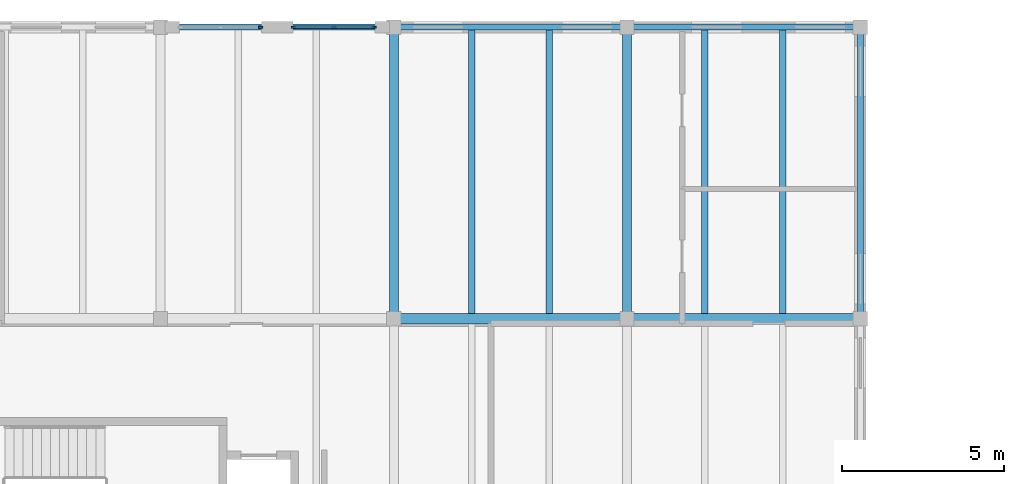
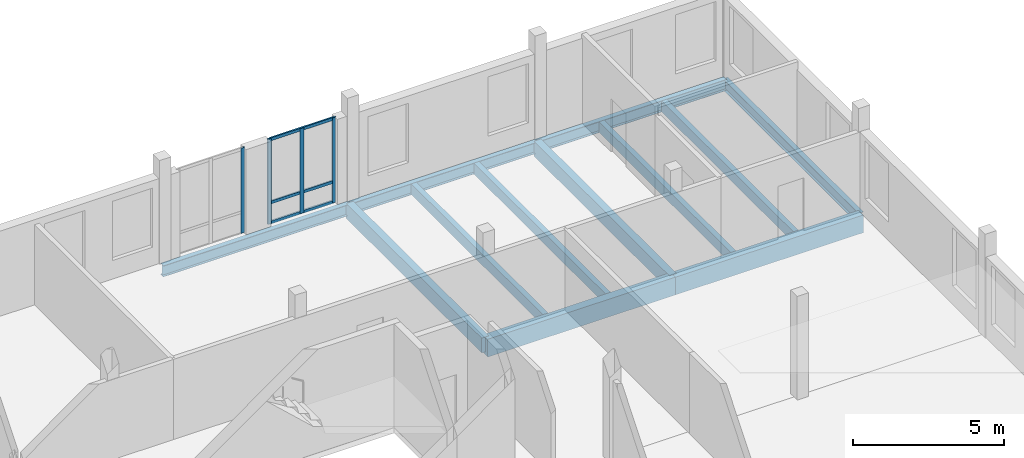
# One storey, part 28 of 81: 12 beams, 7 members, 2 elements without a shape of their own.
"""IFC4 building model written with IfcOpenShell, lengths in metres."""

from ifc_helpers import new_model, si_unit, direction, frame, origin, origin_2d, place, context, subcontext, project, spatial, rectangle, i_section, extrude, material, material_profile, profile_set, type_object, element, aggregate, save


model = new_model("IFC4")

# Units and contexts
model_context = context("Model", 3, precision=1e-05, world=origin(), true_north=direction((0.0, 1.0)))
body_context = subcontext(model_context, "Body", "Model", "MODEL_VIEW")
ifc_project = project(units=[si_unit("LENGTHUNIT", "METRE"), si_unit("AREAUNIT", "SQUARE_METRE"), si_unit("VOLUMEUNIT", "CUBIC_METRE"), si_unit("PLANEANGLEUNIT", "RADIAN"), si_unit("MASSUNIT", "GRAM", prefix="KILO")], contexts=[model_context])

# Site, building, storey
site_placement = place(None, origin())
site = spatial("IfcSite", under=ifc_project, at=site_placement, CompositionType="ELEMENT")
building_placement = place(site_placement, origin())
building = spatial("IfcBuilding", under=site, at=building_placement, Name="Kahlenmark Community Centre", CompositionType="ELEMENT")
storey_placement = place(building_placement, frame((0.0, 0.0, 9.60009765625)))
storey = spatial("IfcBuildingStorey", under=building, at=storey_placement, Name="L02", CompositionType="ELEMENT", Elevation=9.60009765625)

# Beams
ifc_material_1 = material(Name="Glulam GL32h", Category="wood")
ifc_material_profile_1 = material_profile(ifc_material_1, rectangle(XDim=0.280029296875, YDim=0.60009765625, at=origin_2d()), Name="GL32h 280x600")
ifc_profile_set_1 = profile_set([ifc_material_profile_1], Name="Glulam GL32h")
beam_type_1 = type_object("IfcBeamType", Name="BT-BEAM-GL32h280x600", PredefinedType="BEAM", material=ifc_profile_set_1)
for number, where, z_axis, x_axis, name in (
    (1, (72.39990234375, 106.0, -0.52001953125), (0.0, 1.0, 0.0), (-1.0, 0.0, 0.0), "L02 beam BG-GL32h280x600"),
    (2, (79.60009765625, 106.0, -0.52001953125), (0.0, 1.0, 0.0), (-1.0, 0.0, 0.0), "L02 beam BG-GL32h280x600"),
):
    element("IfcBeam", number, at=place(storey_placement, frame(where, z_axis=z_axis, x_axis=x_axis)), inside=storey, type_object=beam_type_1, Name=name, PredefinedType="BEAM", context=body_context, shape_type="SweptSolid", body=[
        extrude(rectangle(XDim=0.280029296875, YDim=0.60009765625, at=origin_2d()), origin(), (0.0, 0.0, 1.0), 9.0),
    ])
ifc_material_profile_2 = material_profile(ifc_material_1, rectangle(XDim=0.320068359375, YDim=0.719970703125, at=origin_2d()), Name="GL32h 320x720")
ifc_profile_set_2 = profile_set([ifc_material_profile_2], Name="Glulam GL32h")
beam_type_2 = type_object("IfcBeamType", Name="BT-BEAM-GL32h320x720", PredefinedType="BEAM", material=ifc_profile_set_2)
beam_1_placement = place(storey_placement, frame((72.39990234375, 106.0, -0.580078125), z_axis=(1.0, 0.0, 0.0), x_axis=(0.0, 1.0, 0.0)))
element("IfcBeam", 3, at=beam_1_placement, inside=storey, type_object=beam_type_2, Name="L02 beam BG-GL32h320x720", PredefinedType="BEAM", context=body_context, shape_type="SweptSolid", body=[
    extrude(rectangle(XDim=0.320068359375, YDim=0.719970703125, at=origin_2d()), origin(), (0.0, 0.0, 1.0), 7.2001953125),
])
beam_2_placement = place(storey_placement, frame((79.60009765625, 106.0, -0.580078125), z_axis=(1.0, 0.0, 0.0), x_axis=(0.0, 1.0, 0.0)))
element("IfcBeam", 4, at=beam_2_placement, inside=storey, type_object=beam_type_2, Name="L02 beam BG-GL32h320x720", PredefinedType="BEAM", context=body_context, shape_type="SweptSolid", body=[
    extrude(rectangle(XDim=0.320068359375, YDim=0.719970703125, at=origin_2d()), origin(), (0.0, 0.0, 1.0), 7.199951171875),
])
ifc_material_2 = material(Name="Glulam GL28h", Category="wood")
ifc_material_profile_3 = material_profile(ifc_material_2, rectangle(XDim=0.199951171875, YDim=0.43994140625, at=origin_2d()), Name="GL28h 200x440")
ifc_profile_set_3 = profile_set([ifc_material_profile_3], Name="Glulam GL28h")
beam_type_3 = type_object("IfcBeamType", Name="BT-JOIST-GL28h200x440", PredefinedType="JOIST", material=ifc_profile_set_3)
for number, where, z_axis, x_axis, name in (
    (5, (74.800048828125, 106.157958984375, -0.440185546875), (0.0, 1.0, 0.0), (-1.0, 0.0, 0.0), "L02 joist BJ-GL28h200x440"),
    (6, (77.199951171875, 106.157958984375, -0.440185546875), (0.0, 1.0, 0.0), (-1.0, 0.0, 0.0), "L02 joist BJ-GL28h200x440"),
    (7, (82.0, 106.157958984375, -0.440185546875), (0.0, 1.0, 0.0), (-1.0, 0.0, 0.0), "L02 joist BJ-GL28h200x440"),
    (8, (84.39990234375, 106.157958984375, -0.440185546875), (0.0, 1.0, 0.0), (-1.0, 0.0, 0.0), "L02 joist BJ-GL28h200x440"),
):
    element("IfcBeam", number, at=place(storey_placement, frame(where, z_axis=z_axis, x_axis=x_axis)), inside=storey, type_object=beam_type_3, Name=name, PredefinedType="JOIST", context=body_context, shape_type="SweptSolid", body=[
        extrude(rectangle(XDim=0.199951171875, YDim=0.43994140625, at=origin_2d()), origin(), (0.0, 0.0, 1.0), 8.7490234375),
    ])
ifc_material_3 = material(Name="Steel S355", Category="steel")
ifc_material_profile_4 = material_profile(ifc_material_3, i_section(OverallWidth=0.18994140625, OverallDepth=0.449951171875, WebThickness=0.009521484375, FlangeThickness=0.0146484375, at=origin_2d()), Name="IPE 450")
ifc_profile_set_4 = profile_set([ifc_material_profile_4], Name="Steel S355")
beam_type_4 = type_object("IfcBeamType", Name="BT-SPANDREL-IPE450", PredefinedType="SPANDREL", material=ifc_profile_set_4)
beam_3_placement = place(storey_placement, frame((65.199951171875, 115.0, -0.445068359375), z_axis=(1.0, 0.0, 0.0), x_axis=(0.0, 1.0, 0.0)))
element("IfcBeam", 9, at=beam_3_placement, inside=storey, type_object=beam_type_4, Name="L02 spandrel SP-IPE450", PredefinedType="SPANDREL", context=body_context, shape_type="SweptSolid", body=[
    extrude(i_section(OverallWidth=0.18994140625, OverallDepth=0.449951171875, WebThickness=0.009521484375, FlangeThickness=0.0146484375, at=origin_2d()), origin(), (0.0, 0.0, 1.0), 7.199951171875),
])
beam_4_placement = place(storey_placement, frame((72.39990234375, 115.0, -0.445068359375), z_axis=(1.0, 0.0, 0.0), x_axis=(0.0, 1.0, 0.0)))
element("IfcBeam", 10, at=beam_4_placement, inside=storey, type_object=beam_type_4, Name="L02 spandrel SP-IPE450", PredefinedType="SPANDREL", context=body_context, shape_type="SweptSolid", body=[
    extrude(i_section(OverallWidth=0.18994140625, OverallDepth=0.449951171875, WebThickness=0.009521484375, FlangeThickness=0.0146484375, at=origin_2d()), origin(), (0.0, 0.0, 1.0), 7.2001953125),
])
beam_5_placement = place(storey_placement, frame((79.60009765625, 115.0, -0.445068359375), z_axis=(1.0, 0.0, 0.0), x_axis=(0.0, 1.0, 0.0)))
element("IfcBeam", 11, at=beam_5_placement, inside=storey, type_object=beam_type_4, Name="L02 spandrel SP-IPE450", PredefinedType="SPANDREL", context=body_context, shape_type="SweptSolid", body=[
    extrude(i_section(OverallWidth=0.18994140625, OverallDepth=0.449951171875, WebThickness=0.009521484375, FlangeThickness=0.0146484375, at=origin_2d()), origin(), (0.0, 0.0, 1.0), 7.199951171875),
])
beam_6_placement = place(storey_placement, frame((86.800048828125, 106.0, -0.445068359375), z_axis=(0.0, 1.0, 0.0), x_axis=(-1.0, 0.0, 0.0)))
element("IfcBeam", 12, at=beam_6_placement, inside=storey, type_object=beam_type_4, Name="L02 spandrel SP-IPE450", PredefinedType="SPANDREL", context=body_context, shape_type="SweptSolid", body=[
    extrude(i_section(OverallWidth=0.18994140625, OverallDepth=0.449951171875, WebThickness=0.009521484375, FlangeThickness=0.0146484375, at=origin_2d()), origin(), (0.0, 0.0, 1.0), 9.0),
])

# Curtain wall, members
ifc_material_4 = material(Name="Anodised aluminium unitised curtain wall", Category="aluminium")
curtain_wall_type = type_object("IfcCurtainWallType", Name="CWT-UNIT-254X345", PredefinedType="USERDEFINED", material=ifc_material_4)
curtain_wall_1_placement = place(storey_placement, origin())
curtain_wall_1 = element("IfcCurtainWall", 13, at=curtain_wall_1_placement, inside=storey, type_object=curtain_wall_type, Name="Unitised curtain wall CW-095", ObjectType="UNITISED CURTAIN WALL", PredefinedType="USERDEFINED")
ifc_material_5 = material(Name="Anodised aluminium 6063-T6", Category="aluminium")
ifc_material_profile_5 = material_profile(ifc_material_5, rectangle(XDim=0.06005859375, YDim=0.139892578125, at=origin_2d()), Name="ALU MULLION 60x140")
ifc_profile_set_5 = profile_set([ifc_material_profile_5], Name="Anodised aluminium 6063-T6")
member_type_1 = type_object("IfcMemberType", Name="MT-MUL-140", PredefinedType="MULLION", material=ifc_profile_set_5)
member_1_placement = place(storey_placement, frame((71.7900390625, 115.0, 0.0), z_axis=(0.0, 0.0, 1.0), x_axis=(0.0, -1.0, 0.0)))
member_1 = element("IfcMember", 14, at=member_1_placement, type_object=member_type_1, Name="CW-095 mullion 1", PredefinedType="MULLION", context=body_context, shape_type="SweptSolid", body=[
    extrude(rectangle(XDim=0.06005859375, YDim=0.139892578125, at=origin_2d()), origin(), (0.0, 0.0, 1.0), 3.449951171875),
])
member_2_placement = place(storey_placement, frame((70.550048828125, 115.0, 0.0), z_axis=(0.0, 0.0, 1.0), x_axis=(0.0, -1.0, 0.0)))
member_2 = element("IfcMember", 15, at=member_2_placement, type_object=member_type_1, Name="CW-095 mullion 2", PredefinedType="MULLION", context=body_context, shape_type="SweptSolid", body=[
    extrude(rectangle(XDim=0.06005859375, YDim=0.139892578125, at=origin_2d()), origin(), (0.0, 0.0, 1.0), 3.449951171875),
])
member_3_placement = place(storey_placement, frame((69.31005859375, 115.0, 0.0), z_axis=(0.0, 0.0, 1.0), x_axis=(0.0, -1.0, 0.0)))
member_3 = element("IfcMember", 16, at=member_3_placement, type_object=member_type_1, Name="CW-095 mullion 3", PredefinedType="MULLION", context=body_context, shape_type="SweptSolid", body=[
    extrude(rectangle(XDim=0.06005859375, YDim=0.139892578125, at=origin_2d()), origin(), (0.0, 0.0, 1.0), 3.449951171875),
])

# Curtain wall, member
curtain_wall_2_placement = place(storey_placement, origin())
curtain_wall_2 = element("IfcCurtainWall", 17, at=curtain_wall_2_placement, inside=storey, type_object=curtain_wall_type, Name="Unitised curtain wall CW-096", ObjectType="UNITISED CURTAIN WALL", PredefinedType="USERDEFINED")
member_4_placement = place(storey_placement, frame((68.2900390625, 115.0, 0.0), z_axis=(0.0, 0.0, 1.0), x_axis=(0.0, -1.0, 0.0)))
member_4 = element("IfcMember", 18, at=member_4_placement, type_object=member_type_1, Name="CW-096 mullion 1", PredefinedType="MULLION", context=body_context, shape_type="SweptSolid", body=[
    extrude(rectangle(XDim=0.06005859375, YDim=0.139892578125, at=origin_2d()), origin(), (0.0, 0.0, 1.0), 3.449951171875),
])
aggregate(curtain_wall_2, [member_4])

# Member
ifc_material_profile_6 = material_profile(ifc_material_5, rectangle(XDim=0.06005859375, YDim=0.1201171875, at=origin_2d()), Name="ALU TRANSOM 60x120")
ifc_profile_set_6 = profile_set([ifc_material_profile_6], Name="Anodised aluminium 6063-T6")
member_type_2 = type_object("IfcMemberType", Name="MT-TRN-120", PredefinedType="USERDEFINED", material=ifc_profile_set_6)
member_5_placement = place(storey_placement, frame((71.7900390625, 115.0, 0.039794921875), z_axis=(-1.0, 0.0, 0.0), x_axis=(0.0, -1.0, 0.0)))
member_5 = element("IfcMember", 19, at=member_5_placement, type_object=member_type_2, Name="CW-095 transom 1", ObjectType="TRANSOM", PredefinedType="USERDEFINED", context=body_context, shape_type="SweptSolid", body=[
    extrude(rectangle(XDim=0.06005859375, YDim=0.1201171875, at=origin_2d()), origin(), (0.0, 0.0, 1.0), 2.47998046875),
])

member_6_placement = place(storey_placement, frame((71.7900390625, 115.0, 0.849853515625), z_axis=(-1.0, 0.0, 0.0), x_axis=(0.0, -1.0, 0.0)))
member_6 = element("IfcMember", 20, at=member_6_placement, type_object=member_type_2, Name="CW-095 transom 2", ObjectType="TRANSOM", PredefinedType="USERDEFINED", context=body_context, shape_type="SweptSolid", body=[
    extrude(rectangle(XDim=0.06005859375, YDim=0.1201171875, at=origin_2d()), origin(), (0.0, 0.0, 1.0), 2.47998046875),
])

member_7_placement = place(storey_placement, frame((71.7900390625, 115.0, 3.409912109375), z_axis=(-1.0, 0.0, 0.0), x_axis=(0.0, -1.0, 0.0)))
member_7 = element("IfcMember", 21, at=member_7_placement, type_object=member_type_2, Name="CW-095 transom 3", ObjectType="TRANSOM", PredefinedType="USERDEFINED", context=body_context, shape_type="SweptSolid", body=[
    extrude(rectangle(XDim=0.06005859375, YDim=0.1201171875, at=origin_2d()), origin(), (0.0, 0.0, 1.0), 2.47998046875),
])

aggregate(curtain_wall_1, [member_1, member_2, member_3, member_5, member_6, member_7])

save(model, "model.ifc")
